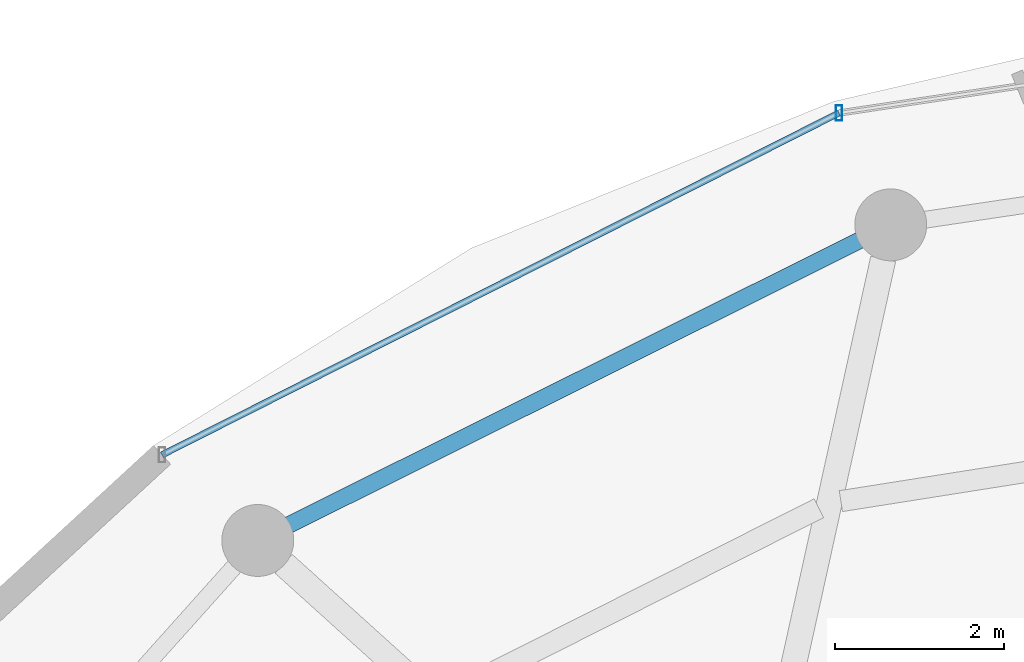
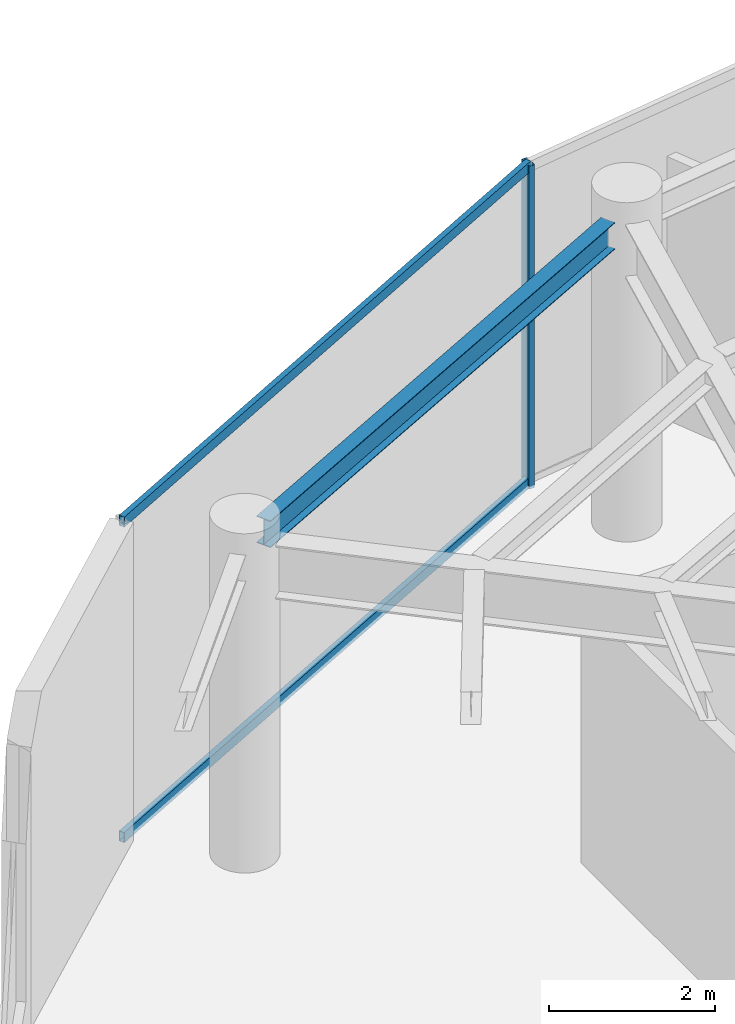
# One storey, part 16 of 24: 3 members, 1 beam, 1 element without a shape of its own.
"""IFC4 building model written with IfcOpenShell, lengths in metres."""

from ifc_helpers import new_model, si_unit, direction, frame, origin, origin_2d, place, context, subcontext, project, spatial, hollow_rectangle, i_section, extrude, material, material_profile, profile_set, type_object, element, aggregate, save


model = new_model("IFC4")

# Units and contexts
model_context = context("Model", 3, precision=1e-05, world=origin(), true_north=direction((0.0, 1.0)))
body_context = subcontext(model_context, "Body", "Model", "MODEL_VIEW")
ifc_project = project(units=[si_unit("LENGTHUNIT", "METRE"), si_unit("AREAUNIT", "SQUARE_METRE"), si_unit("VOLUMEUNIT", "CUBIC_METRE"), si_unit("PLANEANGLEUNIT", "RADIAN"), si_unit("MASSUNIT", "GRAM", prefix="KILO")], contexts=[model_context])

# Site, building, storey
site_placement = place(None, origin())
site = spatial("IfcSite", under=ifc_project, at=site_placement, CompositionType="ELEMENT")
building_placement = place(site_placement, origin())
building = spatial("IfcBuilding", under=site, at=building_placement, Name="Vorneva Point Tower", CompositionType="ELEMENT")
storey_placement = place(building_placement, frame((0.0, 0.0, 285.39990234375)))
storey = spatial("IfcBuildingStorey", under=building, at=storey_placement, Name="L77", CompositionType="ELEMENT", Elevation=285.39990234375)

# Beam
ifc_material_1 = material(Name="Steel S355", Category="steel")
ifc_material_profile_1 = material_profile(ifc_material_1, i_section(OverallWidth=0.198974609375, OverallDepth=0.39599609375, WebThickness=0.007080078125, FlangeThickness=0.010986328125, at=origin_2d()), Name="40B1")
ifc_profile_set_1 = profile_set([ifc_material_profile_1], Name="Steel S355")
beam_type = type_object("IfcBeamType", Name="BM-SPN-40B1", PredefinedType="SPANDREL", material=ifc_profile_set_1)
beam_placement = place(storey_placement, frame((28.812255859375, 41.707763671875, 4.4921875), z_axis=(-0.894932011528, -0.446202526599, 0.0), x_axis=(0.446202526599, -0.894932011528, 0.0)))
element("IfcBeam", 1, at=beam_placement, inside=storey, type_object=beam_type, Name="L77 Perimeter Spandrel Ring Beam 06", PredefinedType="SPANDREL", context=body_context, shape_type="SweptSolid", body=[
    extrude(i_section(OverallWidth=0.198974609375, OverallDepth=0.39599609375, WebThickness=0.007080078125, FlangeThickness=0.010986328125, at=origin_2d()), origin(), (0.0, 0.0, 1.0), 7.535888671875),
])

# Curtain wall, members
ifc_material_2 = material(Name="Pale anodised aluminium", Category="aluminium")
curtain_wall_type = type_object("IfcCurtainWallType", Name="CW-OBS-SYS", PredefinedType="NOTDEFINED", material=ifc_material_2)
curtain_wall_placement = place(storey_placement, origin())
curtain_wall = element("IfcCurtainWall", 2, at=curtain_wall_placement, inside=storey, type_object=curtain_wall_type, Name="L77 Unitised Curtain Wall CW-L77-R02", PredefinedType="NOTDEFINED")
ifc_material_profile_2 = material_profile(ifc_material_2, hollow_rectangle(XDim=0.074951171875, YDim=0.179931640625, WallThickness=0.00390625, at=origin_2d()), Name="AL-MUL 180x75x4")
ifc_profile_set_2 = profile_set([ifc_material_profile_2], Name="Pale anodised aluminium")
member_type_1 = type_object("IfcMemberType", Name="CW-MUL-180", PredefinedType="MULLION", material=ifc_profile_set_2)
member_1_placement = place(storey_placement, frame((28.56689453125, 43.2119140625, -0.039794921875), z_axis=(0.0, 0.0, 1.0), x_axis=(1.0, 0.0, 0.0)))
member_1 = element("IfcMember", 3, at=member_1_placement, type_object=member_type_1, Name="CW-L77-R02 Mullion 03", PredefinedType="MULLION", context=body_context, shape_type="SweptSolid", body=[
    extrude(hollow_rectangle(XDim=0.074951171875, YDim=0.179931640625, WallThickness=0.00390625, at=origin_2d()), origin(), (0.0, 0.0, 1.0), 4.760009765625),
])
ifc_material_profile_3 = material_profile(ifc_material_2, hollow_rectangle(XDim=0.074951171875, YDim=0.14990234375, WallThickness=0.00390625, at=origin_2d()), Name="AL-TRN 150x75x4")
ifc_profile_set_3 = profile_set([ifc_material_profile_3], Name="Pale anodised aluminium")
member_type_2 = type_object("IfcMemberType", Name="CW-TRN-150", PredefinedType="USERDEFINED", material=ifc_profile_set_3)
member_2_placement = place(storey_placement, frame((28.56689453125, 43.2119140625, 0.02001953125), z_axis=(-0.892632382234, -0.450785348239, 0.0), x_axis=(0.450785348239, -0.892632382234, 0.0)))
member_2 = element("IfcMember", 4, at=member_2_placement, type_object=member_type_2, Name="CW-L77-R02 Transom 03.1", ObjectType="TRANSOM", PredefinedType="USERDEFINED", context=body_context, shape_type="SweptSolid", body=[
    extrude(hollow_rectangle(XDim=0.074951171875, YDim=0.14990234375, WallThickness=0.00390625, at=origin_2d()), origin(), (0.0, 0.0, 1.0), 8.958984375),
])
member_3_placement = place(storey_placement, frame((28.56689453125, 43.2119140625, 4.670166015625), z_axis=(-0.892632382234, -0.450785348239, 0.0), x_axis=(0.450785348239, -0.892632382234, 0.0)))
member_3 = element("IfcMember", 5, at=member_3_placement, type_object=member_type_2, Name="CW-L77-R02 Transom 03.2", ObjectType="TRANSOM", PredefinedType="USERDEFINED", context=body_context, shape_type="SweptSolid", body=[
    extrude(hollow_rectangle(XDim=0.074951171875, YDim=0.14990234375, WallThickness=0.00390625, at=origin_2d()), origin(), (0.0, 0.0, 1.0), 8.958984375),
])
aggregate(curtain_wall, [member_1, member_2, member_3])

save(model, "model.ifc")
